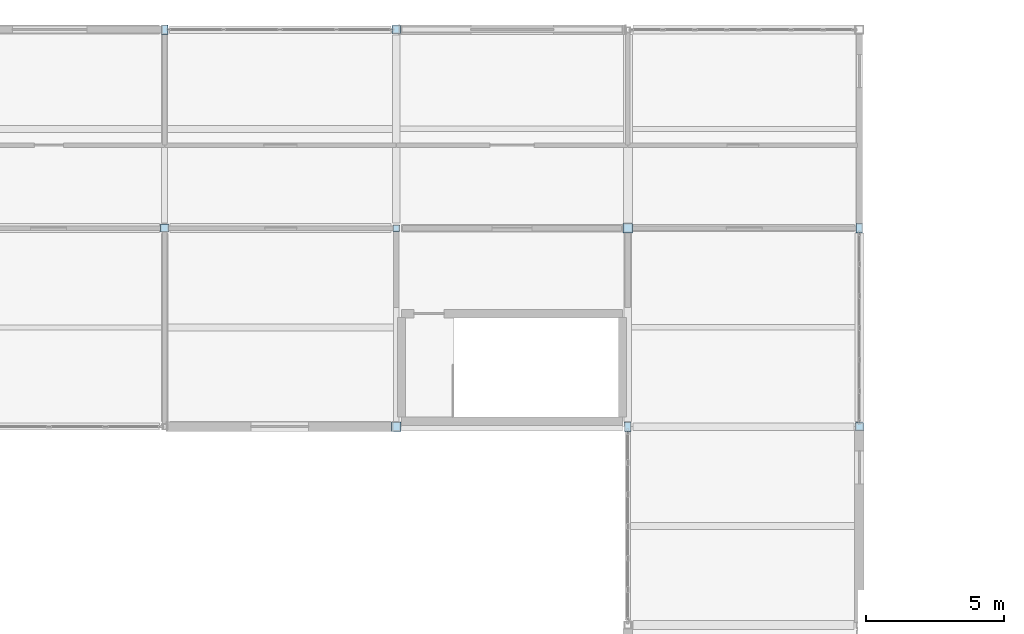
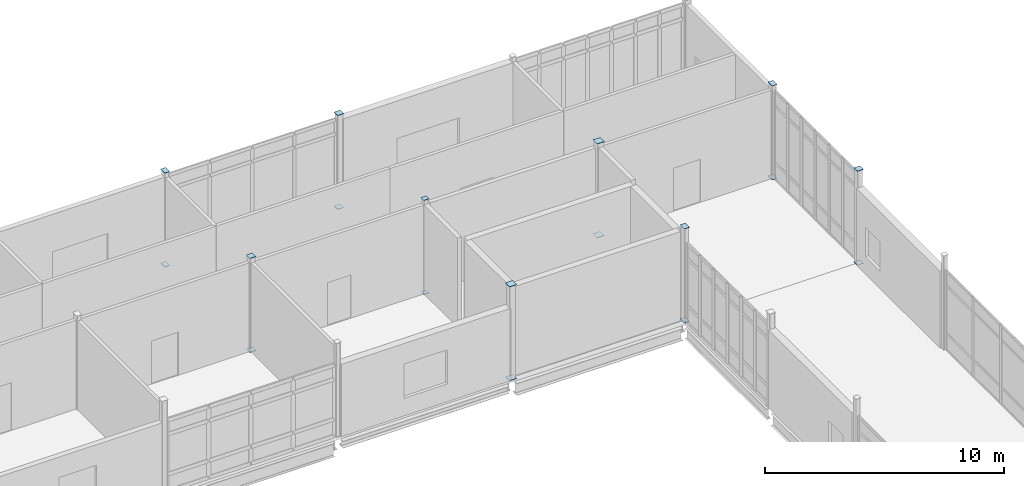
# One storey, part 122 of 153: 18 plates.
"""IFC4 building model written with IfcOpenShell, lengths in metres."""

from ifc_helpers import new_model, si_unit, direction, frame, origin, origin_2d, place, context, subcontext, project, spatial, rectangle, extrude, material, layer, layer_set, type_object, element, save


model = new_model("IFC4")

# Units and contexts
model_context = context("Model", 3, precision=1e-05, world=origin(), true_north=direction((0.0, 1.0)))
body_context = subcontext(model_context, "Body", "Model", "MODEL_VIEW")
ifc_project = project(units=[si_unit("LENGTHUNIT", "METRE"), si_unit("AREAUNIT", "SQUARE_METRE"), si_unit("VOLUMEUNIT", "CUBIC_METRE"), si_unit("PLANEANGLEUNIT", "RADIAN"), si_unit("MASSUNIT", "GRAM", prefix="KILO")], contexts=[model_context])

# Site, building, storey
site_placement = place(None, origin())
site = spatial("IfcSite", under=ifc_project, at=site_placement, CompositionType="ELEMENT")
building_placement = place(site_placement, origin())
building = spatial("IfcBuilding", under=site, at=building_placement, Name="Calvrana Isthmian Art Gallery", CompositionType="ELEMENT")
storey_placement = place(building_placement, frame((0.0, 0.0, 10.199951171875)))
storey = spatial("IfcBuildingStorey", under=building, at=storey_placement, Name="L02", CompositionType="ELEMENT", Elevation=10.199951171875)

# Plates
ifc_material = material(Name="Steel ASTM A572 Gr 50", Category="steel")
ifc_layer = layer(ifc_material, 0.01611328125, Name="Steel ASTM A572 Gr 50")
ifc_layer_set = layer_set([ifc_layer], Name="Steel ASTM A572 Gr 50")
plate_type = type_object("IfcPlateType", Name="PL-CAP-16", PredefinedType="SHEET", material=ifc_layer_set)
for number, where, z_axis, x_axis, name in (
    (1, (38.39990234375, 105.60009765625, -0.008056640625), (0.0, 0.0, 1.0), (1.0, 0.0, 0.0), "Hollow section end cap plate 081"),
    (2, (38.39990234375, 105.60009765625, 4.7919921875), (0.0, 0.0, 1.0), (1.0, 0.0, 0.0), "Hollow section end cap plate 082"),
):
    element("IfcPlate", number, at=place(storey_placement, frame(where, z_axis=z_axis, x_axis=x_axis)), inside=storey, type_object=plate_type, Name=name, PredefinedType="SHEET", context=body_context, shape_type="SweptSolid", body=[
        extrude(rectangle(XDim=0.2939453125, YDim=0.2939453125, at=origin_2d()), origin(), (0.0, 0.0, 1.0), 0.01611328125),
    ])
for number, where, z_axis, x_axis, name in (
    (3, (38.39990234375, 112.800048828125, -0.008056640625), (0.0, 0.0, 1.0), (1.0, 0.0, 0.0), "Hollow section end cap plate 083"),
    (4, (38.39990234375, 112.800048828125, 4.7919921875), (0.0, 0.0, 1.0), (1.0, 0.0, 0.0), "Hollow section end cap plate 084"),
):
    element("IfcPlate", number, at=place(storey_placement, frame(where, z_axis=z_axis, x_axis=x_axis)), inside=storey, type_object=plate_type, Name=name, PredefinedType="SHEET", context=body_context, shape_type="SweptSolid", body=[
        extrude(rectangle(XDim=0.2431640625, YDim=0.3447265625, at=origin_2d()), origin(), (0.0, 0.0, 1.0), 0.01611328125),
    ])
for number, where, z_axis, x_axis, name in (
    (5, (46.800048828125, 98.39990234375, -0.008056640625), (0.0, 0.0, 1.0), (1.0, 0.0, 0.0), "Hollow section end cap plate 093"),
    (6, (46.800048828125, 98.39990234375, 4.7919921875), (0.0, 0.0, 1.0), (1.0, 0.0, 0.0), "Hollow section end cap plate 094"),
):
    element("IfcPlate", number, at=place(storey_placement, frame(where, z_axis=z_axis, x_axis=x_axis)), inside=storey, type_object=plate_type, Name=name, PredefinedType="SHEET", context=body_context, shape_type="SweptSolid", body=[
        extrude(rectangle(XDim=0.3447265625, YDim=0.3447265625, at=origin_2d()), origin(), (0.0, 0.0, 1.0), 0.01611328125),
    ])
for number, where, z_axis, x_axis, name in (
    (7, (46.800048828125, 105.60009765625, -0.008056640625), (0.0, 0.0, 1.0), (1.0, 0.0, 0.0), "Hollow section end cap plate 095"),
    (8, (46.800048828125, 105.60009765625, 4.7919921875), (0.0, 0.0, 1.0), (1.0, 0.0, 0.0), "Hollow section end cap plate 096"),
):
    element("IfcPlate", number, at=place(storey_placement, frame(where, z_axis=z_axis, x_axis=x_axis)), inside=storey, type_object=plate_type, Name=name, PredefinedType="SHEET", context=body_context, shape_type="SweptSolid", body=[
        extrude(rectangle(XDim=0.2431640625, YDim=0.2431640625, at=origin_2d()), origin(), (0.0, 0.0, 1.0), 0.01611328125),
    ])
for number, where, z_axis, x_axis, name in (
    (9, (46.800048828125, 112.800048828125, -0.008056640625), (0.0, 0.0, 1.0), (1.0, 0.0, 0.0), "Hollow section end cap plate 097"),
    (10, (46.800048828125, 112.800048828125, 4.7919921875), (0.0, 0.0, 1.0), (1.0, 0.0, 0.0), "Hollow section end cap plate 098"),
):
    element("IfcPlate", number, at=place(storey_placement, frame(where, z_axis=z_axis, x_axis=x_axis)), inside=storey, type_object=plate_type, Name=name, PredefinedType="SHEET", context=body_context, shape_type="SweptSolid", body=[
        extrude(rectangle(XDim=0.2939453125, YDim=0.2939453125, at=origin_2d()), origin(), (0.0, 0.0, 1.0), 0.01611328125),
    ])
for number, where, z_axis, x_axis, name in (
    (11, (55.199951171875, 98.39990234375, -0.008056640625), (0.0, 0.0, 1.0), (1.0, 0.0, 0.0), "Hollow section end cap plate 119"),
    (12, (55.199951171875, 98.39990234375, 4.7919921875), (0.0, 0.0, 1.0), (1.0, 0.0, 0.0), "Hollow section end cap plate 120"),
):
    element("IfcPlate", number, at=place(storey_placement, frame(where, z_axis=z_axis, x_axis=x_axis)), inside=storey, type_object=plate_type, Name=name, PredefinedType="SHEET", context=body_context, shape_type="SweptSolid", body=[
        extrude(rectangle(XDim=0.2431640625, YDim=0.3447265625, at=origin_2d()), origin(), (0.0, 0.0, 1.0), 0.01611328125),
    ])
for number, where, z_axis, x_axis, name in (
    (13, (55.199951171875, 105.60009765625, -0.008056640625), (0.0, 0.0, 1.0), (1.0, 0.0, 0.0), "Hollow section end cap plate 121"),
    (14, (55.199951171875, 105.60009765625, 4.7919921875), (0.0, 0.0, 1.0), (1.0, 0.0, 0.0), "Hollow section end cap plate 122"),
):
    element("IfcPlate", number, at=place(storey_placement, frame(where, z_axis=z_axis, x_axis=x_axis)), inside=storey, type_object=plate_type, Name=name, PredefinedType="SHEET", context=body_context, shape_type="SweptSolid", body=[
        extrude(rectangle(XDim=0.3447265625, YDim=0.3447265625, at=origin_2d()), origin(), (0.0, 0.0, 1.0), 0.01611328125),
    ])
for number, where, z_axis, x_axis, name in (
    (15, (63.60009765625, 98.39990234375, -0.008056640625), (0.0, 0.0, 1.0), (1.0, 0.0, 0.0), "Hollow section end cap plate 151"),
    (16, (63.60009765625, 98.39990234375, 4.7919921875), (0.0, 0.0, 1.0), (1.0, 0.0, 0.0), "Hollow section end cap plate 152"),
):
    element("IfcPlate", number, at=place(storey_placement, frame(where, z_axis=z_axis, x_axis=x_axis)), inside=storey, type_object=plate_type, Name=name, PredefinedType="SHEET", context=body_context, shape_type="SweptSolid", body=[
        extrude(rectangle(XDim=0.2939453125, YDim=0.2939453125, at=origin_2d()), origin(), (0.0, 0.0, 1.0), 0.01611328125),
    ])
for number, where, z_axis, x_axis, name in (
    (17, (63.60009765625, 105.60009765625, -0.008056640625), (0.0, 0.0, 1.0), (1.0, 0.0, 0.0), "Hollow section end cap plate 153"),
    (18, (63.60009765625, 105.60009765625, 4.7919921875), (0.0, 0.0, 1.0), (1.0, 0.0, 0.0), "Hollow section end cap plate 154"),
):
    element("IfcPlate", number, at=place(storey_placement, frame(where, z_axis=z_axis, x_axis=x_axis)), inside=storey, type_object=plate_type, Name=name, PredefinedType="SHEET", context=body_context, shape_type="SweptSolid", body=[
        extrude(rectangle(XDim=0.2431640625, YDim=0.3447265625, at=origin_2d()), origin(), (0.0, 0.0, 1.0), 0.01611328125),
    ])

save(model, "model.ifc")
